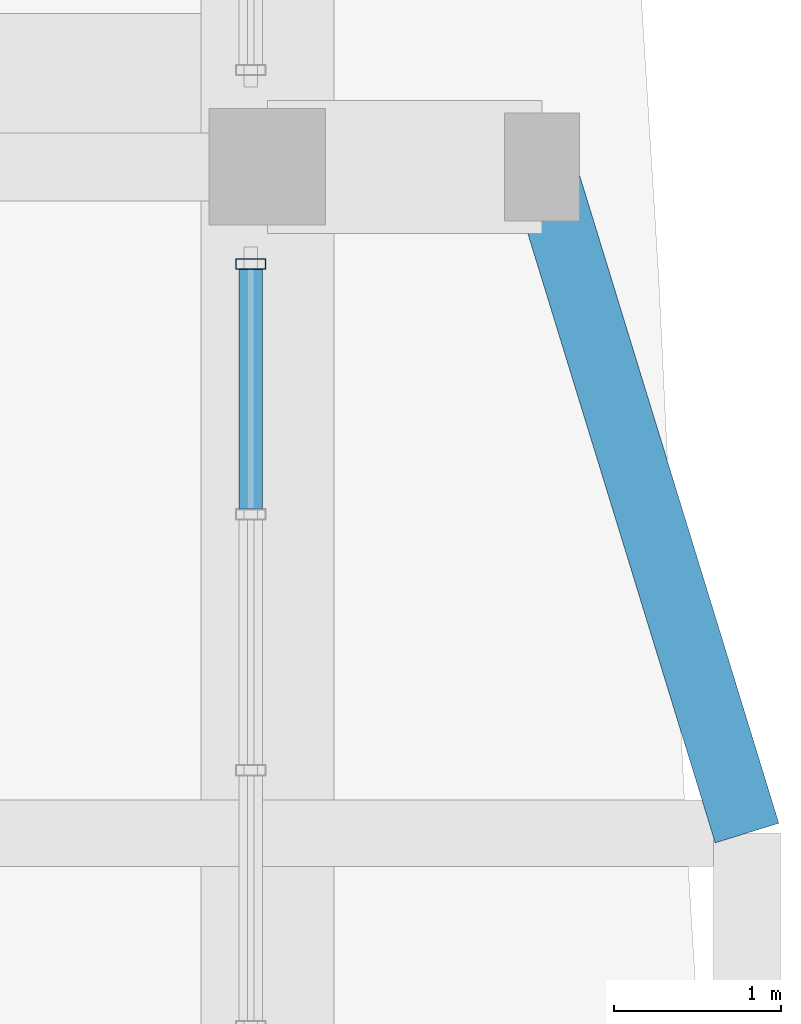
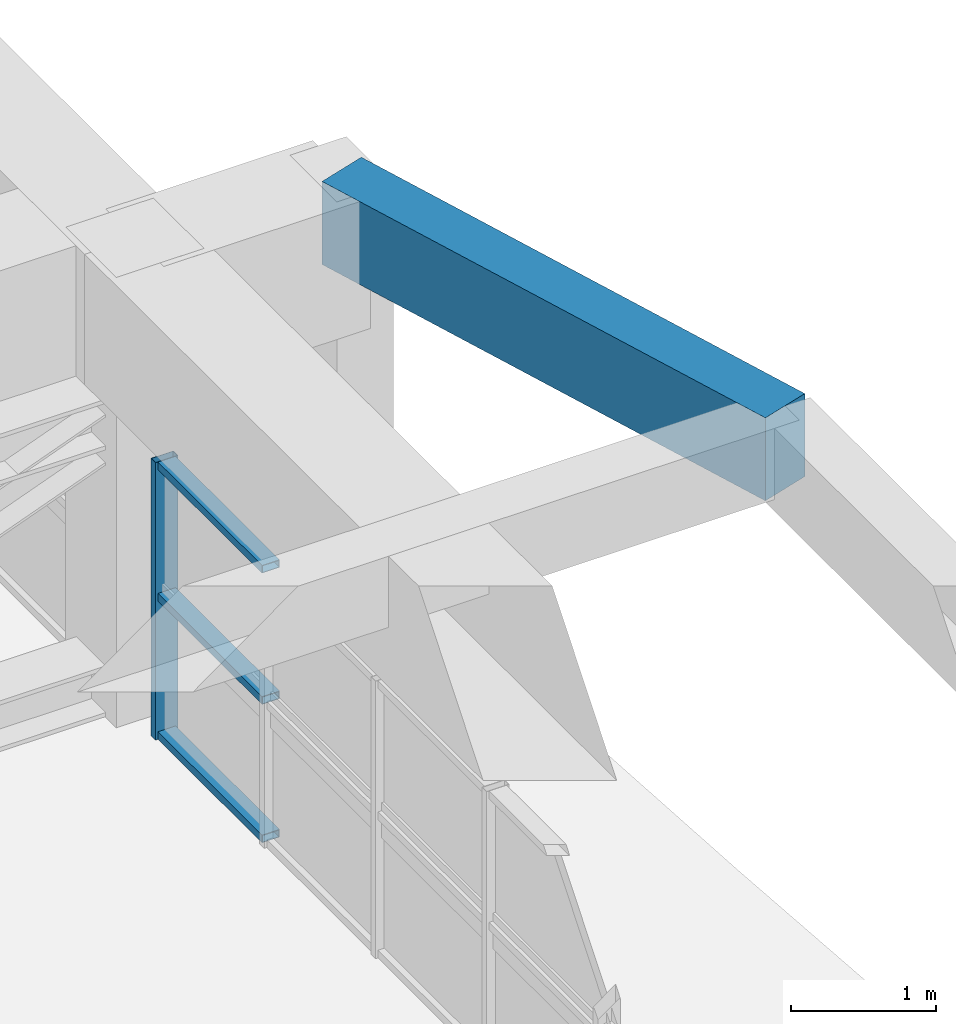
# One storey, part 15 of 25: 4 members, 1 beam, 1 element without a shape of its own.
"""IFC4 building model written with IfcOpenShell, lengths in metres."""

from ifc_helpers import new_model, si_unit, direction, frame, origin, origin_2d, place, context, subcontext, project, spatial, rectangle, hollow_rectangle, extrude, source, transform, mapped, material, layer, layer_set, material_profile, profile_set, type_object, element, aggregate, save


model = new_model("IFC4")

# Units and contexts
model_context = context("Model", 3, precision=1e-05, world=origin(), true_north=direction((0.0, 1.0)))
body_context = subcontext(model_context, "Body", "Model", "MODEL_VIEW")
ifc_project = project(units=[si_unit("LENGTHUNIT", "METRE"), si_unit("AREAUNIT", "SQUARE_METRE"), si_unit("VOLUMEUNIT", "CUBIC_METRE"), si_unit("PLANEANGLEUNIT", "RADIAN"), si_unit("MASSUNIT", "GRAM", prefix="KILO")], contexts=[model_context])

# Site, building, storey
site_placement = place(None, origin())
site = spatial("IfcSite", under=ifc_project, at=site_placement, CompositionType="ELEMENT")
building_placement = place(site_placement, origin())
building = spatial("IfcBuilding", under=site, at=building_placement, Name="Saelheon Loggia Tower", CompositionType="ELEMENT")
storey_placement = place(building_placement, frame((0.0, 0.0, 206.5)))
storey = spatial("IfcBuildingStorey", under=building, at=storey_placement, Name="L64", CompositionType="ELEMENT", Elevation=206.5)

# Beam
ifc_material_1 = material(Name="Precast Concrete C45/55", Category="concrete")
ifc_material_profile_1 = material_profile(ifc_material_1, rectangle(XDim=0.39990234375, YDim=0.699951171875, at=origin_2d()), Name="RC-400x700")
ifc_profile_set_1 = profile_set([ifc_material_profile_1], Name="Precast Concrete C45/55")
beam_type = type_object("IfcBeamType", Name="Beam_LoggiaSpandrel_RC400x700", PredefinedType="SPANDREL", material=ifc_profile_set_1)
shared_shape_1 = source(origin(), body_context, "Body", "SweptSolid", [
    extrude(rectangle(XDim=0.39990234375, YDim=0.699951171875, at=origin_2d()), origin(), (0.0, 0.0, 1.0), 4.184814453125),
])
beam_placement = place(storey_placement, frame((59.3798828125, 32.0, 3.449951171875), z_axis=(-0.293913664135, 0.955831971653, 0.0), x_axis=(-0.955831971653, -0.293913664135, 0.0)))
element("IfcBeam", 1, at=beam_placement, inside=storey, type_object=beam_type, Name="L64 Curved Loggia Spandrel E 3", PredefinedType="SPANDREL", context=body_context, shape_type="MappedRepresentation", body=[
    mapped(shared_shape_1, transform((0.0, 0.0, 0.0), scale=1.0)),
])

# Curtain wall, members
ifc_material_2 = material(Name="Anodised Aluminium Acoustic Louvre Curtain Wall", Category="aluminium")
ifc_layer = layer(ifc_material_2, 0.179931640625)
ifc_layer_set = layer_set([ifc_layer], Name="Anodised Aluminium Acoustic Louvre Curtain Wall")
curtain_wall_type = type_object("IfcCurtainWallType", Name="CW_RefugeAcoustic", PredefinedType="NOTDEFINED", material=ifc_layer_set)
curtain_wall_placement = place(storey_placement, origin())
curtain_wall = element("IfcCurtainWall", 2, at=curtain_wall_placement, inside=storey, type_object=curtain_wall_type, Name="L64 E Refuge Acoustic Curtain Wall 2", PredefinedType="NOTDEFINED")
ifc_material_3 = material(Name="Anodised Aluminium 6063-T6", Category="aluminium")
ifc_material_profile_2 = material_profile(ifc_material_3, hollow_rectangle(XDim=0.06494140625, YDim=0.139892578125, WallThickness=0.00390625, at=origin_2d()), Name="RHS-140x65x4")
ifc_profile_set_2 = profile_set([ifc_material_profile_2], Name="Anodised Aluminium 6063-T6")
member_type_1 = type_object("IfcMemberType", Name="CW_RefugeAcoustic_Transom", PredefinedType="USERDEFINED", material=ifc_profile_set_2)
shared_shape_2 = source(origin(), body_context, "Body", "SweptSolid", [
    extrude(hollow_rectangle(XDim=0.06494140625, YDim=0.139892578125, WallThickness=0.00390625, at=origin_2d()), origin(), (0.0, 0.0, 1.0), 1.43896484375),
])
member_1_placement = place(storey_placement, frame((56.39990234375, 33.946044921875, 0.032470703125), z_axis=(0.0, 1.0, 0.0), x_axis=(0.0, 0.0, 1.0)))
member_1 = element("IfcMember", 3, at=member_1_placement, type_object=member_type_1, Name="CW5 transom 11.1", ObjectType="TRANSOM", PredefinedType="USERDEFINED", context=body_context, shape_type="MappedRepresentation", body=[
    mapped(shared_shape_2, transform((0.0, 0.0, 0.0), scale=1.0)),
])
member_2_placement = place(storey_placement, frame((56.39990234375, 33.946044921875, 1.199951171875), z_axis=(0.0, 1.0, 0.0), x_axis=(0.0, 0.0, 1.0)))
member_2 = element("IfcMember", 4, at=member_2_placement, type_object=member_type_1, Name="CW5 transom 11.2", ObjectType="TRANSOM", PredefinedType="USERDEFINED", context=body_context, shape_type="MappedRepresentation", body=[
    mapped(shared_shape_2, transform((0.0, 0.0, 0.0), scale=1.0)),
])
member_3_placement = place(storey_placement, frame((56.39990234375, 33.946044921875, 2.3076171875), z_axis=(0.0, 1.0, 0.0), x_axis=(0.0, 0.0, 1.0)))
member_3 = element("IfcMember", 5, at=member_3_placement, type_object=member_type_1, Name="CW5 transom 11.3", ObjectType="TRANSOM", PredefinedType="USERDEFINED", context=body_context, shape_type="MappedRepresentation", body=[
    mapped(shared_shape_2, transform((0.0, 0.0, 0.0), scale=1.0)),
])
ifc_material_profile_3 = material_profile(ifc_material_3, hollow_rectangle(XDim=0.06494140625, YDim=0.179931640625, WallThickness=0.00390625, at=origin_2d()), Name="RHS-180x65x4")
ifc_profile_set_3 = profile_set([ifc_material_profile_3], Name="Anodised Aluminium 6063-T6")
member_type_2 = type_object("IfcMemberType", Name="CW_RefugeAcoustic_Mullion", PredefinedType="MULLION", material=ifc_profile_set_3)
shared_shape_3 = source(origin(), body_context, "Body", "SweptSolid", [
    extrude(hollow_rectangle(XDim=0.06494140625, YDim=0.179931640625, WallThickness=0.00390625, at=origin_2d()), origin(), (0.0, 0.0, 1.0), 2.340087890625),
])
member_4_placement = place(storey_placement, frame((56.39990234375, 35.41748046875, 0.0), z_axis=(0.0, 0.0, 1.0), x_axis=(0.0, 1.0, 0.0)))
member_4 = element("IfcMember", 6, at=member_4_placement, type_object=member_type_2, Name="CW5 mullion 12", PredefinedType="MULLION", context=body_context, shape_type="MappedRepresentation", body=[
    mapped(shared_shape_3, transform((0.0, 0.0, 0.0), scale=1.0)),
])
aggregate(curtain_wall, [member_4, member_1, member_2, member_3])

save(model, "model.ifc")
